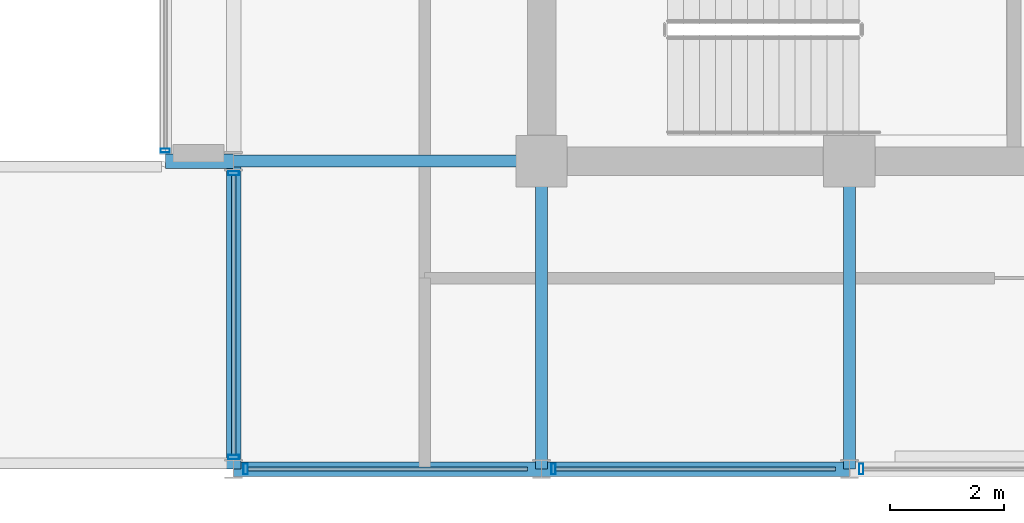
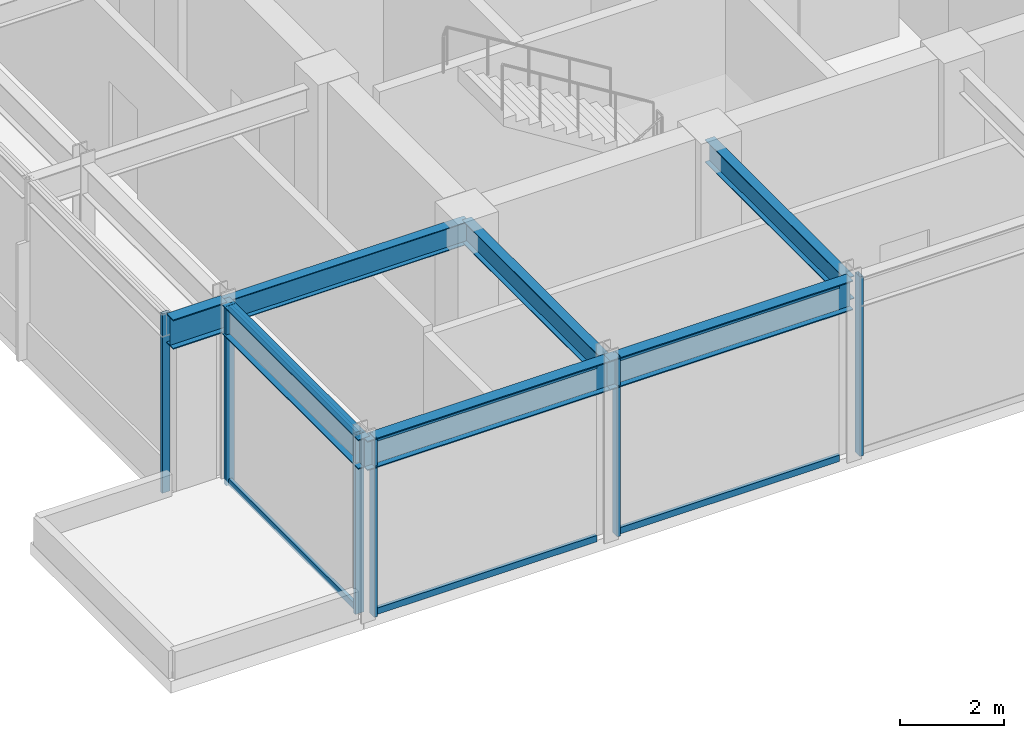
# One storey, part 2 of 18: 12 members, 7 beams, 3 elements without a shape of their own.
"""IFC4 building model written with IfcOpenShell, lengths in metres."""

from ifc_helpers import new_model, si_unit, direction, frame, origin, origin_2d, place, context, subcontext, project, spatial, hollow_rectangle, i_section, extrude, material, layer, layer_set, material_profile, profile_set, type_object, element, aggregate, save


model = new_model("IFC4")

# Units and contexts
model_context = context("Model", 3, precision=1e-05, world=origin(), true_north=direction((0.0, 1.0)))
body_context = subcontext(model_context, "Body", "Model", "MODEL_VIEW")
ifc_project = project(units=[si_unit("LENGTHUNIT", "METRE"), si_unit("AREAUNIT", "SQUARE_METRE"), si_unit("VOLUMEUNIT", "CUBIC_METRE"), si_unit("PLANEANGLEUNIT", "RADIAN"), si_unit("MASSUNIT", "GRAM", prefix="KILO")], contexts=[model_context])

# Site, building, storey
site_placement = place(None, origin())
site = spatial("IfcSite", under=ifc_project, at=site_placement, CompositionType="ELEMENT")
building_placement = place(site_placement, origin())
building = spatial("IfcBuilding", under=site, at=building_placement, Name="Surkhivell Harbour Commons", CompositionType="ELEMENT")
storey_placement = place(building_placement, frame((0.0, 0.0, 355.5)))
storey = spatial("IfcBuildingStorey", under=building, at=storey_placement, Name="L92", CompositionType="ELEMENT", Elevation=355.5)

# Beams
ifc_material_1 = material(Name="Steel S460", Category="steel")
ifc_material_profile_1 = material_profile(ifc_material_1, i_section(OverallWidth=0.256103515625, OverallDepth=0.693115234375, WebThickness=0.014404296875, FlangeThickness=0.023681640625, at=origin_2d()), Name="UB686x254x170")
ifc_profile_set_1 = profile_set([ifc_material_profile_1], Name="Steel S460")
beam_type_1 = type_object("IfcBeamType", Name="BM-CNT-686", PredefinedType="BEAM", material=ifc_profile_set_1)
beam_1_placement = place(storey_placement, frame((-16.199951171875, -10.800048828125, 3.87353515625), z_axis=(-1.0, 0.0, 0.0), x_axis=(0.0, -1.0, 0.0)))
element("IfcBeam", 1, at=beam_1_placement, inside=storey, type_object=beam_type_1, Name="L92 Box Cantilever Outrigger (-16.2,-10.8)", PredefinedType="BEAM", context=body_context, shape_type="SweptSolid", body=[
    extrude(i_section(OverallWidth=0.256103515625, OverallDepth=0.693115234375, WebThickness=0.014404296875, FlangeThickness=0.023681640625, at=origin_2d()), origin(), (0.0, 0.0, 1.0), 1.199951171875),
])
ifc_material_2 = material(Name="Steel S355", Category="steel")
ifc_material_profile_2 = material_profile(ifc_material_2, i_section(OverallWidth=0.2099609375, OverallDepth=0.537109375, WebThickness=0.0107421875, FlangeThickness=0.017333984375, at=origin_2d()), Name="UB533x210x101")
ifc_profile_set_2 = profile_set([ifc_material_profile_2], Name="Steel S355")
beam_type_2 = type_object("IfcBeamType", Name="BM-GRD-533B", PredefinedType="BEAM", material=ifc_profile_set_2)
for number, where, z_axis, x_axis, name in (
    (2, (-16.199951171875, -10.800048828125, 3.951416015625), (1.0, 0.0, 0.0), (0.0, 1.0, 0.0), "L92 Floor Girder (-16.2,-10.8)"),
    (3, (-10.800048828125, -16.199951171875, 3.951416015625), (0.0, 1.0, 0.0), (-1.0, 0.0, 0.0), "L92 Floor Girder (-10.8,-16.2)"),
    (4, (-5.39990234375, -16.199951171875, 3.951416015625), (0.0, 1.0, 0.0), (-1.0, 0.0, 0.0), "L92 Floor Girder (-5.4,-16.2)"),
):
    element("IfcBeam", number, at=place(storey_placement, frame(where, z_axis=z_axis, x_axis=x_axis)), inside=storey, type_object=beam_type_2, Name=name, PredefinedType="BEAM", context=body_context, shape_type="SweptSolid", body=[
        extrude(i_section(OverallWidth=0.2099609375, OverallDepth=0.537109375, WebThickness=0.0107421875, FlangeThickness=0.017333984375, at=origin_2d()), origin(), (0.0, 0.0, 1.0), 5.39990234375),
    ])
ifc_material_profile_3 = material_profile(ifc_material_2, i_section(OverallWidth=0.256103515625, OverallDepth=0.693115234375, WebThickness=0.014404296875, FlangeThickness=0.023681640625, at=origin_2d()), Name="UB686x254x170")
ifc_profile_set_3 = profile_set([ifc_material_profile_3], Name="Steel S355")
beam_type_3 = type_object("IfcBeamType", Name="BM-SPN-686", PredefinedType="SPANDREL", material=ifc_profile_set_3)
for number, where, z_axis, x_axis, name in (
    (5, (-16.199951171875, -16.199951171875, 3.87353515625), (0.0, 1.0, 0.0), (-1.0, 0.0, 0.0), "L92 Tube Spandrel (-16.2,-16.2)"),
    (6, (-16.199951171875, -16.199951171875, 3.87353515625), (1.0, 0.0, 0.0), (0.0, 1.0, 0.0), "L92 Tube Spandrel (-16.2,-16.2)"),
):
    element("IfcBeam", number, at=place(storey_placement, frame(where, z_axis=z_axis, x_axis=x_axis)), inside=storey, type_object=beam_type_3, Name=name, PredefinedType="SPANDREL", context=body_context, shape_type="SweptSolid", body=[
        extrude(i_section(OverallWidth=0.256103515625, OverallDepth=0.693115234375, WebThickness=0.014404296875, FlangeThickness=0.023681640625, at=origin_2d()), origin(), (0.0, 0.0, 1.0), 5.39990234375),
    ])
beam_2_placement = place(storey_placement, frame((-10.800048828125, -16.199951171875, 3.87353515625), z_axis=(1.0, 0.0, 0.0), x_axis=(0.0, 1.0, 0.0)))
element("IfcBeam", 7, at=beam_2_placement, inside=storey, type_object=beam_type_3, Name="L92 Tube Spandrel (-10.8,-16.2)", PredefinedType="SPANDREL", context=body_context, shape_type="SweptSolid", body=[
    extrude(i_section(OverallWidth=0.256103515625, OverallDepth=0.693115234375, WebThickness=0.014404296875, FlangeThickness=0.023681640625, at=origin_2d()), origin(), (0.0, 0.0, 1.0), 5.400146484375),
])

# Curtain wall, member
ifc_material_3 = material(Name="Anodised pale-metal aluminium and insulated glazing", Category="aluminium")
ifc_layer_1 = layer(ifc_material_3, 0.1650390625)
ifc_layer_set_1 = layer_set([ifc_layer_1], Name="Anodised pale-metal aluminium and insulated glazing")
curtain_wall_type_1 = type_object("IfcCurtainWallType", Name="CW-SYS-BOX", PredefinedType="NOTDEFINED", material=ifc_layer_set_1)
curtain_wall_1_placement = place(storey_placement, origin())
curtain_wall_1 = element("IfcCurtainWall", 8, at=curtain_wall_1_placement, inside=storey, type_object=curtain_wall_type_1, Name="L92 Curtain Wall CW-L92-BOX03", PredefinedType="NOTDEFINED")
ifc_material_4 = material(Name="Champagne anodised aluminium alloy 6063-T6", Category="aluminium")
ifc_material_profile_4 = material_profile(ifc_material_4, hollow_rectangle(XDim=0.070068359375, YDim=0.1650390625, WallThickness=0.00341796875, at=origin_2d()), Name="ALU-MULL-70x165")
ifc_profile_set_4 = profile_set([ifc_material_profile_4], Name="Champagne anodised aluminium alloy 6063-T6")
member_type_1 = type_object("IfcMemberType", Name="CWM-165", PredefinedType="MULLION", material=ifc_profile_set_4)
member_1_placement = place(storey_placement, frame((-17.39990234375, -10.614990234375, 0.0), z_axis=(0.0, 0.0, 1.0), x_axis=(0.0, 1.0, 0.0)))
member_1 = element("IfcMember", 9, at=member_1_placement, type_object=member_type_1, Name="CW-BOX mullion 1", PredefinedType="MULLION", context=body_context, shape_type="SweptSolid", body=[
    extrude(hollow_rectangle(XDim=0.070068359375, YDim=0.1650390625, WallThickness=0.00341796875, at=origin_2d()), origin(), (0.0, 0.0, 1.0), 4.219970703125),
])
aggregate(curtain_wall_1, [member_1])

# Curtain wall, members
ifc_layer_2 = layer(ifc_material_3, 0.22998046875)
ifc_layer_set_2 = layer_set([ifc_layer_2], Name="Anodised pale-metal aluminium and insulated glazing")
curtain_wall_type_2 = type_object("IfcCurtainWallType", Name="CW-SYS-CRN", PredefinedType="NOTDEFINED", material=ifc_layer_set_2)
curtain_wall_2_placement = place(storey_placement, origin())
curtain_wall_2 = element("IfcCurtainWall", 10, at=curtain_wall_2_placement, inside=storey, type_object=curtain_wall_type_2, Name="L92 Curtain Wall CW-L92-C00", PredefinedType="NOTDEFINED")
ifc_material_5 = material(Name="Anodised pale-metal aluminium alloy 6063-T6", Category="aluminium")
ifc_material_profile_5 = material_profile(ifc_material_5, hollow_rectangle(XDim=0.074951171875, YDim=0.18994140625, WallThickness=0.00390625, at=origin_2d()), Name="ALU-MULL-75x190")
ifc_profile_set_5 = profile_set([ifc_material_profile_5], Name="Anodised pale-metal aluminium alloy 6063-T6")
member_type_2 = type_object("IfcMemberType", Name="CWM-190", PredefinedType="MULLION", material=ifc_profile_set_5)
member_2_placement = place(storey_placement, frame((-15.990478515625, -16.199951171875, 0.0), z_axis=(0.0, 0.0, 1.0), x_axis=(1.0, 0.0, 0.0)))
member_2 = element("IfcMember", 11, at=member_2_placement, type_object=member_type_2, Name="CW-CRN mullion 1", PredefinedType="MULLION", context=body_context, shape_type="SweptSolid", body=[
    extrude(hollow_rectangle(XDim=0.074951171875, YDim=0.18994140625, WallThickness=0.00390625, at=origin_2d()), origin(), (0.0, 0.0, 1.0), 4.219970703125),
])
member_3_placement = place(storey_placement, frame((-10.590576171875, -16.199951171875, 0.0), z_axis=(0.0, 0.0, 1.0), x_axis=(1.0, 0.0, 0.0)))
member_3 = element("IfcMember", 12, at=member_3_placement, type_object=member_type_2, Name="CW-CRN mullion 2", PredefinedType="MULLION", context=body_context, shape_type="SweptSolid", body=[
    extrude(hollow_rectangle(XDim=0.074951171875, YDim=0.18994140625, WallThickness=0.00390625, at=origin_2d()), origin(), (0.0, 0.0, 1.0), 4.219970703125),
])
member_4_placement = place(storey_placement, frame((-5.1904296875, -16.199951171875, 0.0), z_axis=(0.0, 0.0, 1.0), x_axis=(1.0, 0.0, 0.0)))
member_4 = element("IfcMember", 13, at=member_4_placement, type_object=member_type_2, Name="CW-CRN mullion 3", PredefinedType="MULLION", context=body_context, shape_type="SweptSolid", body=[
    extrude(hollow_rectangle(XDim=0.074951171875, YDim=0.18994140625, WallThickness=0.00390625, at=origin_2d()), origin(), (0.0, 0.0, 1.0), 4.219970703125),
])

curtain_wall_3_placement = place(storey_placement, origin())
curtain_wall_3 = element("IfcCurtainWall", 14, at=curtain_wall_3_placement, inside=storey, type_object=curtain_wall_type_2, Name="L92 Curtain Wall CW-L92-C03S1", PredefinedType="NOTDEFINED")
member_5_placement = place(storey_placement, frame((-16.199951171875, -11.009521484375, 0.0), z_axis=(0.0, 0.0, 1.0), x_axis=(0.0, -1.0, 0.0)))
member_5 = element("IfcMember", 15, at=member_5_placement, type_object=member_type_2, Name="CW-CRN mullion 1", PredefinedType="MULLION", context=body_context, shape_type="SweptSolid", body=[
    extrude(hollow_rectangle(XDim=0.074951171875, YDim=0.18994140625, WallThickness=0.00390625, at=origin_2d()), origin(), (0.0, 0.0, 1.0), 4.219970703125),
])
member_6_placement = place(storey_placement, frame((-16.199951171875, -15.990478515625, 0.0), z_axis=(0.0, 0.0, 1.0), x_axis=(0.0, -1.0, 0.0)))
member_6 = element("IfcMember", 16, at=member_6_placement, type_object=member_type_2, Name="CW-CRN mullion 2", PredefinedType="MULLION", context=body_context, shape_type="SweptSolid", body=[
    extrude(hollow_rectangle(XDim=0.074951171875, YDim=0.18994140625, WallThickness=0.00390625, at=origin_2d()), origin(), (0.0, 0.0, 1.0), 4.219970703125),
])

# Member
ifc_material_profile_6 = material_profile(ifc_material_5, hollow_rectangle(XDim=0.074951171875, YDim=0.14990234375, WallThickness=0.00341796875, at=origin_2d()), Name="ALU-TRAN-75x150")
ifc_profile_set_6 = profile_set([ifc_material_profile_6], Name="Anodised pale-metal aluminium alloy 6063-T6")
member_type_3 = type_object("IfcMemberType", Name="CWT-150", PredefinedType="USERDEFINED", material=ifc_profile_set_6)
member_7_placement = place(storey_placement, frame((-15.952880859375, -16.199951171875, 0.074951171875), z_axis=(1.0, 0.0, 0.0), x_axis=(0.0, 1.0, 0.0)))
member_7 = element("IfcMember", 17, at=member_7_placement, type_object=member_type_3, Name="CW-CRN transom 1.1", ObjectType="TRANSOM", PredefinedType="USERDEFINED", context=body_context, shape_type="SweptSolid", body=[
    extrude(hollow_rectangle(XDim=0.074951171875, YDim=0.14990234375, WallThickness=0.00341796875, at=origin_2d()), origin(), (0.0, 0.0, 1.0), 4.90576171875),
])

member_8_placement = place(storey_placement, frame((-15.952880859375, -16.199951171875, 4.14501953125), z_axis=(1.0, 0.0, 0.0), x_axis=(0.0, 1.0, 0.0)))
member_8 = element("IfcMember", 18, at=member_8_placement, type_object=member_type_3, Name="CW-CRN transom 1.2", ObjectType="TRANSOM", PredefinedType="USERDEFINED", context=body_context, shape_type="SweptSolid", body=[
    extrude(hollow_rectangle(XDim=0.074951171875, YDim=0.14990234375, WallThickness=0.00341796875, at=origin_2d()), origin(), (0.0, 0.0, 1.0), 4.90576171875),
])

member_9_placement = place(storey_placement, frame((-10.552978515625, -16.199951171875, 0.074951171875), z_axis=(1.0, 0.0, 0.0), x_axis=(0.0, 1.0, 0.0)))
member_9 = element("IfcMember", 19, at=member_9_placement, type_object=member_type_3, Name="CW-CRN transom 2.1", ObjectType="TRANSOM", PredefinedType="USERDEFINED", context=body_context, shape_type="SweptSolid", body=[
    extrude(hollow_rectangle(XDim=0.074951171875, YDim=0.14990234375, WallThickness=0.00341796875, at=origin_2d()), origin(), (0.0, 0.0, 1.0), 4.906005859375),
])

member_10_placement = place(storey_placement, frame((-10.552978515625, -16.199951171875, 4.14501953125), z_axis=(1.0, 0.0, 0.0), x_axis=(0.0, 1.0, 0.0)))
member_10 = element("IfcMember", 20, at=member_10_placement, type_object=member_type_3, Name="CW-CRN transom 2.2", ObjectType="TRANSOM", PredefinedType="USERDEFINED", context=body_context, shape_type="SweptSolid", body=[
    extrude(hollow_rectangle(XDim=0.074951171875, YDim=0.14990234375, WallThickness=0.00341796875, at=origin_2d()), origin(), (0.0, 0.0, 1.0), 4.906005859375),
])

aggregate(curtain_wall_2, [member_2, member_7, member_8, member_3, member_9, member_10, member_4])

member_11_placement = place(storey_placement, frame((-16.199951171875, -11.047119140625, 0.074951171875), z_axis=(0.0, -1.0, 0.0), x_axis=(1.0, 0.0, 0.0)))
member_11 = element("IfcMember", 21, at=member_11_placement, type_object=member_type_3, Name="CW-CRN transom 1.1", ObjectType="TRANSOM", PredefinedType="USERDEFINED", context=body_context, shape_type="SweptSolid", body=[
    extrude(hollow_rectangle(XDim=0.074951171875, YDim=0.14990234375, WallThickness=0.00341796875, at=origin_2d()), origin(), (0.0, 0.0, 1.0), 4.90576171875),
])

member_12_placement = place(storey_placement, frame((-16.199951171875, -11.047119140625, 4.14501953125), z_axis=(0.0, -1.0, 0.0), x_axis=(1.0, 0.0, 0.0)))
member_12 = element("IfcMember", 22, at=member_12_placement, type_object=member_type_3, Name="CW-CRN transom 1.2", ObjectType="TRANSOM", PredefinedType="USERDEFINED", context=body_context, shape_type="SweptSolid", body=[
    extrude(hollow_rectangle(XDim=0.074951171875, YDim=0.14990234375, WallThickness=0.00341796875, at=origin_2d()), origin(), (0.0, 0.0, 1.0), 4.90576171875),
])

aggregate(curtain_wall_3, [member_5, member_6, member_11, member_12])

save(model, "model.ifc")
